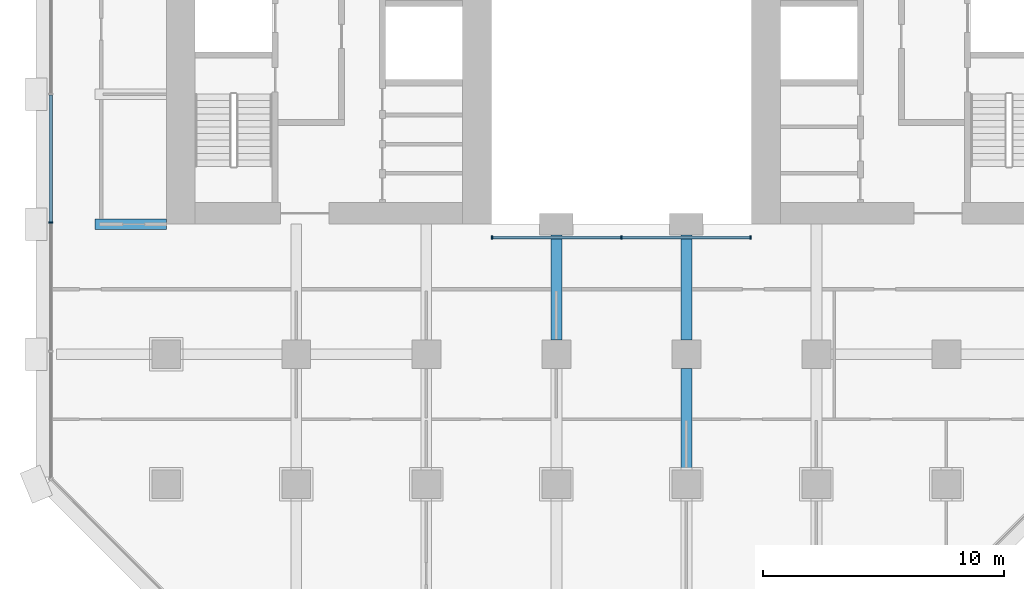
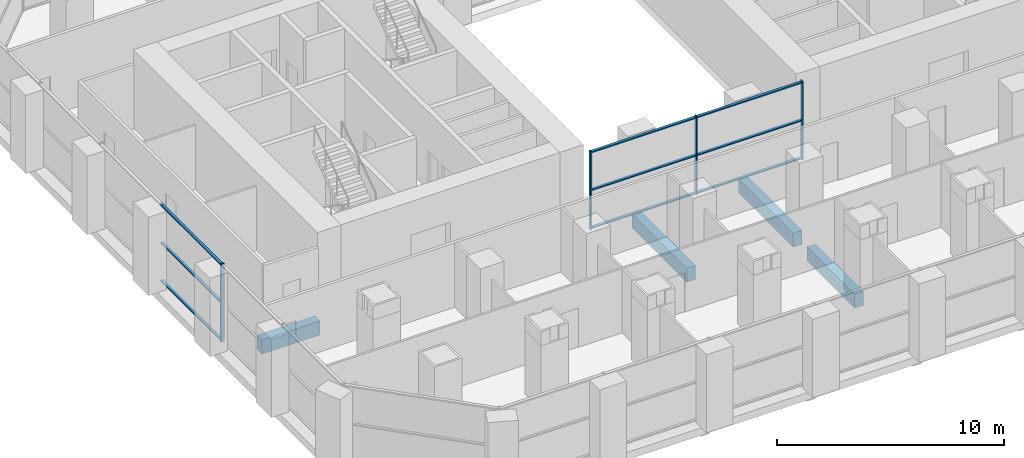
# One storey, part 4 of 23: 13 members, 4 beams, 2 elements without a shape of their own.
"""IFC4 building model written with IfcOpenShell, lengths in metres."""

from ifc_helpers import new_model, si_unit, direction, frame, origin, origin_2d, place, context, subcontext, project, spatial, rectangle, extrude, material, material_profile, profile_set, type_object, element, aggregate, save


model = new_model("IFC4")

# Units and contexts
model_context = context("Model", 3, precision=1e-05, world=origin(), true_north=direction((0.0, 1.0)))
body_context = subcontext(model_context, "Body", "Model", "MODEL_VIEW")
ifc_project = project(units=[si_unit("LENGTHUNIT", "METRE"), si_unit("AREAUNIT", "SQUARE_METRE"), si_unit("VOLUMEUNIT", "CUBIC_METRE"), si_unit("PLANEANGLEUNIT", "RADIAN"), si_unit("MASSUNIT", "GRAM", prefix="KILO")], contexts=[model_context])

# Site, building, storey
site_placement = place(None, origin())
site = spatial("IfcSite", under=ifc_project, at=site_placement, CompositionType="ELEMENT")
building_placement = place(site_placement, origin())
building = spatial("IfcBuilding", under=site, at=building_placement, Name="Tabaq Tower and Sports Hall", CompositionType="ELEMENT")
storey_placement = place(building_placement, frame((0.0, 0.0, 29.10009765625)))
storey = spatial("IfcBuildingStorey", under=building, at=storey_placement, Name="L05", CompositionType="ELEMENT", Elevation=29.10009765625)

# Curtain wall, members
ifc_material_1 = material(Name="Aluminium alloy 6063-T6 framed glazing", Category="aluminium")
curtain_wall_type_1 = type_object("IfcCurtainWallType", Name="CW1 curtain wall", PredefinedType="USERDEFINED", material=ifc_material_1)
curtain_wall_1_placement = place(storey_placement, origin())
curtain_wall_1 = element("IfcCurtainWall", 1, at=curtain_wall_1_placement, inside=storey, type_object=curtain_wall_type_1, Name="Atrium glazing L05 S", ObjectType="ATRIUM ENCLOSURE", PredefinedType="USERDEFINED")
ifc_material_2 = material(Name="Aluminium alloy 6063-T6", Category="aluminium")
ifc_material_profile_1 = material_profile(ifc_material_2, rectangle(XDim=0.159912109375, YDim=0.06005859375, at=origin_2d()), Name="MULLION 160x60")
ifc_profile_set_1 = profile_set([ifc_material_profile_1], Name="Aluminium alloy 6063-T6")
member_type_1 = type_object("IfcMemberType", Name="CW1 mullion 160x60", PredefinedType="MULLION", material=ifc_profile_set_1)
member_1_placement = place(storey_placement, frame((18.929931640625, 15.64990234375, 0.0), z_axis=(0.0, 0.0, 1.0), x_axis=(0.0, 1.0, 0.0)))
member_1 = element("IfcMember", 2, at=member_1_placement, type_object=member_type_1, Name="CW1 mullion 1", PredefinedType="MULLION", context=body_context, shape_type="SweptSolid", body=[
    extrude(rectangle(XDim=0.159912109375, YDim=0.06005859375, at=origin_2d()), origin(), (0.0, 0.0, 1.0), 4.199951171875),
])
member_2_placement = place(storey_placement, frame((24.300048828125, 15.64990234375, 0.0), z_axis=(0.0, 0.0, 1.0), x_axis=(0.0, 1.0, 0.0)))
member_2 = element("IfcMember", 3, at=member_2_placement, type_object=member_type_1, Name="CW1 mullion 2", PredefinedType="MULLION", context=body_context, shape_type="SweptSolid", body=[
    extrude(rectangle(XDim=0.159912109375, YDim=0.06005859375, at=origin_2d()), origin(), (0.0, 0.0, 1.0), 4.199951171875),
])
member_3_placement = place(storey_placement, frame((29.669921875, 15.64990234375, 0.0), z_axis=(0.0, 0.0, 1.0), x_axis=(0.0, 1.0, 0.0)))
member_3 = element("IfcMember", 4, at=member_3_placement, type_object=member_type_1, Name="CW1 mullion 3", PredefinedType="MULLION", context=body_context, shape_type="SweptSolid", body=[
    extrude(rectangle(XDim=0.159912109375, YDim=0.06005859375, at=origin_2d()), origin(), (0.0, 0.0, 1.0), 4.199951171875),
])
ifc_material_3 = material(Name="Aluminium alloy 6063-T6", Category="aluminium")
ifc_material_profile_2 = material_profile(ifc_material_3, rectangle(XDim=0.139892578125, YDim=0.06005859375, at=origin_2d()), Name="TRANSOM 140x60")
ifc_profile_set_2 = profile_set([ifc_material_profile_2], Name="Aluminium alloy 6063-T6")
member_type_2 = type_object("IfcMemberType", Name="CW1 transom 140x60", PredefinedType="USERDEFINED", material=ifc_profile_set_2)
member_4_placement = place(storey_placement, frame((18.9599609375, 15.64990234375, 0.06982421875), z_axis=(1.0, 0.0, 0.0), x_axis=(0.0, 1.0, 0.0)))
member_4 = element("IfcMember", 5, at=member_4_placement, type_object=member_type_2, Name="CW1 transom 1.1", ObjectType="TRANSOM", PredefinedType="USERDEFINED", context=body_context, shape_type="SweptSolid", body=[
    extrude(rectangle(XDim=0.139892578125, YDim=0.06005859375, at=origin_2d()), origin(), (0.0, 0.0, 1.0), 5.31005859375),
])
member_5_placement = place(storey_placement, frame((18.9599609375, 15.64990234375, 2.099853515625), z_axis=(1.0, 0.0, 0.0), x_axis=(0.0, 1.0, 0.0)))
member_5 = element("IfcMember", 6, at=member_5_placement, type_object=member_type_2, Name="CW1 transom 1.2", ObjectType="TRANSOM", PredefinedType="USERDEFINED", context=body_context, shape_type="SweptSolid", body=[
    extrude(rectangle(XDim=0.139892578125, YDim=0.06005859375, at=origin_2d()), origin(), (0.0, 0.0, 1.0), 5.31005859375),
])
member_6_placement = place(storey_placement, frame((18.9599609375, 15.64990234375, 4.1298828125), z_axis=(1.0, 0.0, 0.0), x_axis=(0.0, 1.0, 0.0)))
member_6 = element("IfcMember", 7, at=member_6_placement, type_object=member_type_2, Name="CW1 transom 1.3", ObjectType="TRANSOM", PredefinedType="USERDEFINED", context=body_context, shape_type="SweptSolid", body=[
    extrude(rectangle(XDim=0.139892578125, YDim=0.06005859375, at=origin_2d()), origin(), (0.0, 0.0, 1.0), 5.31005859375),
])
member_7_placement = place(storey_placement, frame((24.330078125, 15.64990234375, 0.06982421875), z_axis=(1.0, 0.0, 0.0), x_axis=(0.0, 1.0, 0.0)))
member_7 = element("IfcMember", 8, at=member_7_placement, type_object=member_type_2, Name="CW1 transom 2.1", ObjectType="TRANSOM", PredefinedType="USERDEFINED", context=body_context, shape_type="SweptSolid", body=[
    extrude(rectangle(XDim=0.139892578125, YDim=0.06005859375, at=origin_2d()), origin(), (0.0, 0.0, 1.0), 5.309814453125),
])
member_8_placement = place(storey_placement, frame((24.330078125, 15.64990234375, 2.099853515625), z_axis=(1.0, 0.0, 0.0), x_axis=(0.0, 1.0, 0.0)))
member_8 = element("IfcMember", 9, at=member_8_placement, type_object=member_type_2, Name="CW1 transom 2.2", ObjectType="TRANSOM", PredefinedType="USERDEFINED", context=body_context, shape_type="SweptSolid", body=[
    extrude(rectangle(XDim=0.139892578125, YDim=0.06005859375, at=origin_2d()), origin(), (0.0, 0.0, 1.0), 5.309814453125),
])
member_9_placement = place(storey_placement, frame((24.330078125, 15.64990234375, 4.1298828125), z_axis=(1.0, 0.0, 0.0), x_axis=(0.0, 1.0, 0.0)))
member_9 = element("IfcMember", 10, at=member_9_placement, type_object=member_type_2, Name="CW1 transom 2.3", ObjectType="TRANSOM", PredefinedType="USERDEFINED", context=body_context, shape_type="SweptSolid", body=[
    extrude(rectangle(XDim=0.139892578125, YDim=0.06005859375, at=origin_2d()), origin(), (0.0, 0.0, 1.0), 5.309814453125),
])
aggregate(curtain_wall_1, [member_1, member_2, member_3, member_4, member_5, member_6, member_7, member_8, member_9])

ifc_material_4 = material(Name="Aluminium alloy 6063-T6 framed glazing", Category="aluminium")
curtain_wall_type_2 = type_object("IfcCurtainWallType", Name="CW7 curtain wall", PredefinedType="USERDEFINED", material=ifc_material_4)
curtain_wall_2_placement = place(storey_placement, origin())
curtain_wall_2 = element("IfcCurtainWall", 11, at=curtain_wall_2_placement, inside=storey, type_object=curtain_wall_type_2, Name="Podium Wall L05 W", ObjectType="PODIUM WALL", PredefinedType="USERDEFINED")
ifc_material_5 = material(Name="Aluminium alloy 6063-T6", Category="aluminium")
ifc_material_profile_3 = material_profile(ifc_material_5, rectangle(XDim=0.179931640625, YDim=0.06494140625, at=origin_2d()), Name="MULLION 180x65")
ifc_profile_set_3 = profile_set([ifc_material_profile_3], Name="Aluminium alloy 6063-T6")
member_type_3 = type_object("IfcMemberType", Name="CW7 mullion 180x65", PredefinedType="MULLION", material=ifc_profile_set_3)
member_10_placement = place(storey_placement, frame((0.60009765625, 16.26220703125, 0.0), z_axis=(0.0, 0.0, 1.0), x_axis=(1.0, 0.0, 0.0)))
member_10 = element("IfcMember", 12, at=member_10_placement, type_object=member_type_3, Name="CW7 mullion 5", PredefinedType="MULLION", context=body_context, shape_type="SweptSolid", body=[
    extrude(rectangle(XDim=0.179931640625, YDim=0.06494140625, at=origin_2d()), origin(), (0.0, 0.0, 1.0), 4.199951171875),
])
ifc_material_6 = material(Name="Aluminium alloy 6063-T6", Category="aluminium")
ifc_material_profile_4 = material_profile(ifc_material_6, rectangle(XDim=0.139892578125, YDim=0.06494140625, at=origin_2d()), Name="TRANSOM 140x65")
ifc_profile_set_4 = profile_set([ifc_material_profile_4], Name="Aluminium alloy 6063-T6")
member_type_4 = type_object("IfcMemberType", Name="CW7 transom 140x65", PredefinedType="USERDEFINED", material=ifc_profile_set_4)
member_11_placement = place(storey_placement, frame((0.60009765625, 21.5673828125, 0.06982421875), z_axis=(0.0, -1.0, 0.0), x_axis=(1.0, 0.0, 0.0)))
member_11 = element("IfcMember", 13, at=member_11_placement, type_object=member_type_4, Name="CW7 transom 4.1", ObjectType="TRANSOM", PredefinedType="USERDEFINED", context=body_context, shape_type="SweptSolid", body=[
    extrude(rectangle(XDim=0.139892578125, YDim=0.06494140625, at=origin_2d()), origin(), (0.0, 0.0, 1.0), 5.272705078125),
])
member_12_placement = place(storey_placement, frame((0.60009765625, 21.5673828125, 2.099853515625), z_axis=(0.0, -1.0, 0.0), x_axis=(1.0, 0.0, 0.0)))
member_12 = element("IfcMember", 14, at=member_12_placement, type_object=member_type_4, Name="CW7 transom 4.2", ObjectType="TRANSOM", PredefinedType="USERDEFINED", context=body_context, shape_type="SweptSolid", body=[
    extrude(rectangle(XDim=0.139892578125, YDim=0.06494140625, at=origin_2d()), origin(), (0.0, 0.0, 1.0), 5.272705078125),
])
member_13_placement = place(storey_placement, frame((0.60009765625, 21.5673828125, 4.1298828125), z_axis=(0.0, -1.0, 0.0), x_axis=(1.0, 0.0, 0.0)))
member_13 = element("IfcMember", 15, at=member_13_placement, type_object=member_type_4, Name="CW7 transom 4.3", ObjectType="TRANSOM", PredefinedType="USERDEFINED", context=body_context, shape_type="SweptSolid", body=[
    extrude(rectangle(XDim=0.139892578125, YDim=0.06494140625, at=origin_2d()), origin(), (0.0, 0.0, 1.0), 5.272705078125),
])
aggregate(curtain_wall_2, [member_10, member_11, member_12, member_13])

# Beams
ifc_material_7 = material(Name="Concrete C40/50", Category="concrete")
ifc_material_profile_5 = material_profile(ifc_material_7, rectangle(XDim=0.449951171875, YDim=0.75, at=origin_2d()), Name="CB 450x750")
ifc_profile_set_5 = profile_set([ifc_material_profile_5], Name="Concrete C40/50")
beam_type = type_object("IfcBeamType", Name="PT CANTILEVER BEAM CB 450x750 C40/50", PredefinedType="BEAM", material=ifc_profile_set_5)
beam_1_placement = place(storey_placement, frame((2.449951171875, 16.199951171875, -0.775146484375), z_axis=(1.0, 0.0, 0.0), x_axis=(0.0, 1.0, 0.0)))
element("IfcBeam", 16, at=beam_1_placement, inside=storey, type_object=beam_type, Name="Cantilever Beam L05 W3 span 1", PredefinedType="BEAM", context=body_context, shape_type="SweptSolid", body=[
    extrude(rectangle(XDim=0.449951171875, YDim=0.75, at=origin_2d()), origin(), (0.0, 0.0, 1.0), 2.949951171875),
])
beam_2_placement = place(storey_placement, frame((21.60009765625, 11.39990234375, -0.775146484375), z_axis=(0.0, 1.0, 0.0), x_axis=(-1.0, 0.0, 0.0)))
element("IfcBeam", 17, at=beam_2_placement, inside=storey, type_object=beam_type, Name="Cantilever Beam L05 S4 span 3", PredefinedType="BEAM", context=body_context, shape_type="SweptSolid", body=[
    extrude(rectangle(XDim=0.449951171875, YDim=0.75, at=origin_2d()), origin(), (0.0, 0.0, 1.0), 4.800048828125),
])
beam_3_placement = place(storey_placement, frame((27.0, 6.0, -0.775146484375), z_axis=(0.0, 1.0, 0.0), x_axis=(-1.0, 0.0, 0.0)))
element("IfcBeam", 18, at=beam_3_placement, inside=storey, type_object=beam_type, Name="Cantilever Beam L05 S5 span 2", PredefinedType="BEAM", context=body_context, shape_type="SweptSolid", body=[
    extrude(rectangle(XDim=0.449951171875, YDim=0.75, at=origin_2d()), origin(), (0.0, 0.0, 1.0), 4.199951171875),
])
beam_4_placement = place(storey_placement, frame((27.0, 11.39990234375, -0.775146484375), z_axis=(0.0, 1.0, 0.0), x_axis=(-1.0, 0.0, 0.0)))
element("IfcBeam", 19, at=beam_4_placement, inside=storey, type_object=beam_type, Name="Cantilever Beam L05 S5 span 3", PredefinedType="BEAM", context=body_context, shape_type="SweptSolid", body=[
    extrude(rectangle(XDim=0.449951171875, YDim=0.75, at=origin_2d()), origin(), (0.0, 0.0, 1.0), 4.800048828125),
])

save(model, "model.ifc")
